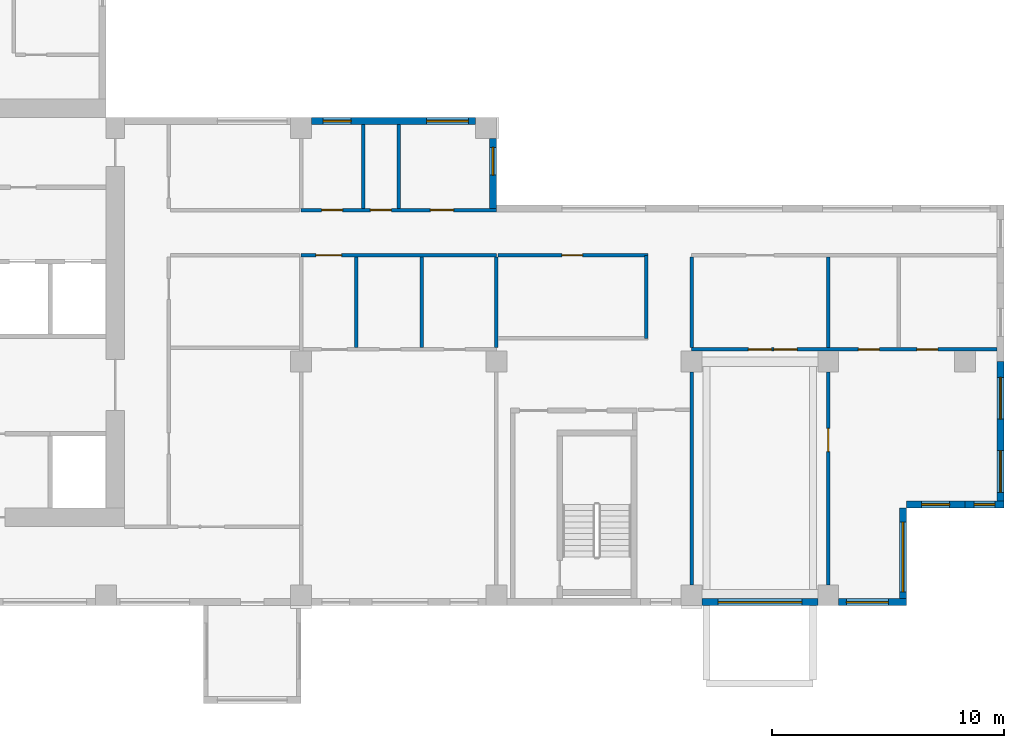
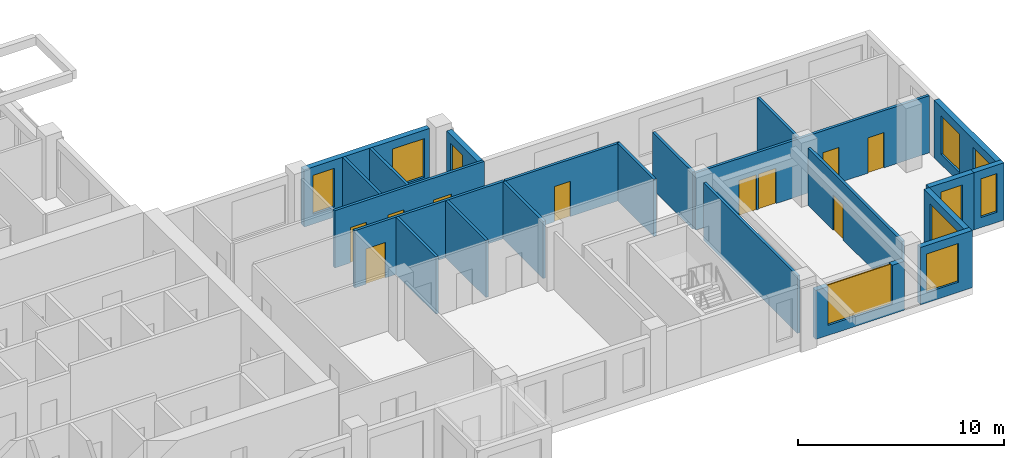
# One storey, part 7 of 14: 22 walls, 10 doors, 10 windows, 20 openings.
"""IFC4 building model written with IfcOpenShell, lengths in metres."""

from ifc_helpers import new_model, si_unit, direction, frame, frame_2d, origin, place, context, subcontext, project, spatial, rectangle, extrude, source, transform, mapped, material, layer, layer_set, type_object, element, fill, save


model = new_model("IFC4")

# Units and contexts
model_context = context("Model", 3, precision=1e-05, world=origin(), true_north=direction((0.0, 1.0)))
body_context = subcontext(model_context, "Body", "Model", "MODEL_VIEW")
ifc_project = project(units=[si_unit("LENGTHUNIT", "METRE"), si_unit("AREAUNIT", "SQUARE_METRE"), si_unit("VOLUMEUNIT", "CUBIC_METRE"), si_unit("PLANEANGLEUNIT", "RADIAN"), si_unit("MASSUNIT", "GRAM", prefix="KILO")], contexts=[model_context])

# Site, building, storey
site_placement = place(None, origin())
site = spatial("IfcSite", under=ifc_project, at=site_placement, CompositionType="ELEMENT")
building_placement = place(site_placement, origin())
building = spatial("IfcBuilding", under=site, at=building_placement, Name="Aurelian Terraces", CompositionType="ELEMENT")
storey_placement = place(building_placement, frame((0.0, 0.0, 185.4)))
storey = spatial("IfcBuildingStorey", under=building, at=storey_placement, Name="L40", CompositionType="ELEMENT", Elevation=185.4)

# Wall, opening, window
ifc_material_1 = material(Name="Terracotta rainscreen cladding", Category="masonry")
ifc_layer_1 = layer(ifc_material_1, 0.3)
ifc_layer_set_1 = layer_set([ifc_layer_1], Name="EW-300")
wall_type_1 = type_object("IfcWallType", Name="EW-300", PredefinedType="STANDARD", material=ifc_layer_set_1)
wall_1_placement = place(storey_placement, frame((46.65, 0.15, 0.0), z_axis=(0.0, 0.0, 1.0), x_axis=(1.0, 0.0, 0.0)))
wall_1 = element("IfcWall", 1, at=wall_1_placement, inside=storey, type_object=wall_type_1, Name="External wall L40 F01.7", PredefinedType="STANDARD", context=body_context, shape_type="SweptSolid", body=[
    extrude(rectangle(XDim=4.98, YDim=0.3, at=frame_2d((2.49, 0.0))), origin(), (0.0, 0.0, 1.0), 2.9),
])
shared_shape_1 = source(origin(), body_context, "Body", "SweptSolid", [
    extrude(rectangle(XDim=3.6, YDim=2.3, at=frame_2d((1.8, 1.15))), frame((0.0, 0.16, 0.0), z_axis=(0.0, -1.0, 0.0), x_axis=(1.0, 0.0, 0.0)), (0.0, 0.0, 1.0), 0.32),
])
opening_1_placement = place(wall_1_placement, frame((0.69, 0.0, 0.6)))
opening_1 = element("IfcOpeningElement", 2, at=opening_1_placement, cuts=wall_1, Name="Opening W3623", PredefinedType="OPENING", context=body_context, shape_type="MappedRepresentation", body=[
    mapped(shared_shape_1, transform((0.0, 0.0, 0.0), scale=1.0)),
])
ifc_material_2 = material(Name="Clear glazing", Category="glass")
window_type_1 = type_object("IfcWindowType", Name="W-3600x2300", PartitioningType="SINGLE_PANEL", PredefinedType="WINDOW", material=ifc_material_2)
shared_shape_2 = source(origin(), body_context, "Body", "SweptSolid", [
    extrude(rectangle(XDim=3.6, YDim=2.3, at=frame_2d((1.8, 1.15))), frame((0.0, 0.03, 0.0), z_axis=(0.0, -1.0, 0.0), x_axis=(1.0, 0.0, 0.0)), (0.0, 0.0, 1.0), 0.06),
])
window_1_placement = place(opening_1_placement, origin())
window_1 = element("IfcWindow", 3, at=window_1_placement, inside=storey, type_object=window_type_1, Name="Window L40 L40-F01-07-0", OverallHeight=2.3, OverallWidth=3.6, PartitioningType="SINGLE_PANEL", PredefinedType="WINDOW", context=body_context, shape_type="MappedRepresentation", body=[
    mapped(shared_shape_2, transform((0.0, 0.0, 0.0), scale=1.0)),
])
fill(opening_1, window_1)

shared_shape_3 = source(origin(), body_context, "Body", "SweptSolid", [
    extrude(rectangle(XDim=2.91, YDim=0.3, at=frame_2d((1.455, 0.0))), origin(), (0.0, 0.0, 1.0), 3.4),
])
wall_2_placement = place(storey_placement, frame((52.53, 0.15, 0.0), z_axis=(0.0, 0.0, 1.0), x_axis=(1.0, 0.0, 0.0)))
wall_2 = element("IfcWall", 4, at=wall_2_placement, inside=storey, type_object=wall_type_1, Name="External wall L40 F01.8", PredefinedType="STANDARD", context=body_context, shape_type="MappedRepresentation", body=[
    mapped(shared_shape_3, transform((0.0, 0.0, 0.0), scale=1.0)),
])
shared_shape_4 = source(origin(), body_context, "Body", "SweptSolid", [
    extrude(rectangle(XDim=1.8, YDim=2.3, at=frame_2d((0.9, 1.15))), frame((0.0, 0.16, 0.0), z_axis=(0.0, -1.0, 0.0), x_axis=(1.0, 0.0, 0.0)), (0.0, 0.0, 1.0), 0.32),
])
opening_2_placement = place(wall_2_placement, frame((0.33, 0.0, 0.6)))
opening_2 = element("IfcOpeningElement", 5, at=opening_2_placement, cuts=wall_2, Name="Opening W1823", PredefinedType="OPENING", context=body_context, shape_type="MappedRepresentation", body=[
    mapped(shared_shape_4, transform((0.0, 0.0, 0.0), scale=1.0)),
])
window_type_2 = type_object("IfcWindowType", Name="W-1800x2300", PartitioningType="SINGLE_PANEL", PredefinedType="WINDOW", material=ifc_material_2)
shared_shape_5 = source(origin(), body_context, "Body", "SweptSolid", [
    extrude(rectangle(XDim=1.8, YDim=2.3, at=frame_2d((0.9, 1.15))), frame((0.0, 0.03, 0.0), z_axis=(0.0, -1.0, 0.0), x_axis=(1.0, 0.0, 0.0)), (0.0, 0.0, 1.0), 0.06),
])
window_2_placement = place(opening_2_placement, origin())
window_2 = element("IfcWindow", 6, at=window_2_placement, inside=storey, type_object=window_type_2, Name="Window L40 L40-F01-08-0", OverallHeight=2.3, OverallWidth=1.8, PartitioningType="SINGLE_PANEL", PredefinedType="WINDOW", context=body_context, shape_type="MappedRepresentation", body=[
    mapped(shared_shape_5, transform((0.0, 0.0, 0.0), scale=1.0)),
])
fill(opening_2, window_2)

shared_shape_6 = source(origin(), body_context, "Body", "SweptSolid", [
    extrude(rectangle(XDim=4.2, YDim=0.3, at=frame_2d((2.1, 0.0))), origin(), (0.0, 0.0, 1.0), 3.4),
])
wall_3_placement = place(storey_placement, frame((55.29, 0.0, 0.0), z_axis=(0.0, 0.0, 1.0), x_axis=(0.0, 1.0, 0.0)))
wall_3 = element("IfcWall", 7, at=wall_3_placement, inside=storey, type_object=wall_type_1, Name="External wall L40 F02.9", PredefinedType="STANDARD", context=body_context, shape_type="MappedRepresentation", body=[
    mapped(shared_shape_6, transform((0.0, 0.0, 0.0), scale=1.0)),
])
shared_shape_7 = source(origin(), body_context, "Body", "SweptSolid", [
    extrude(rectangle(XDim=3.0, YDim=2.3, at=frame_2d((1.5, 1.15))), frame((0.0, 0.16, 0.0), z_axis=(0.0, -1.0, 0.0), x_axis=(1.0, 0.0, 0.0)), (0.0, 0.0, 1.0), 0.32),
])
opening_3_placement = place(wall_3_placement, frame((0.6, 0.0, 0.6)))
opening_3 = element("IfcOpeningElement", 8, at=opening_3_placement, cuts=wall_3, Name="Opening W3023", PredefinedType="OPENING", context=body_context, shape_type="MappedRepresentation", body=[
    mapped(shared_shape_7, transform((0.0, 0.0, 0.0), scale=1.0)),
])
window_type_3 = type_object("IfcWindowType", Name="W-3000x2300", PartitioningType="SINGLE_PANEL", PredefinedType="WINDOW", material=ifc_material_2)
shared_shape_8 = source(origin(), body_context, "Body", "SweptSolid", [
    extrude(rectangle(XDim=3.0, YDim=2.3, at=frame_2d((1.5, 1.15))), frame((0.0, 0.03, 0.0), z_axis=(0.0, -1.0, 0.0), x_axis=(1.0, 0.0, 0.0)), (0.0, 0.0, 1.0), 0.06),
])
window_3_placement = place(opening_3_placement, origin())
window_3 = element("IfcWindow", 9, at=window_3_placement, inside=storey, type_object=window_type_3, Name="Window L40 L40-F02-09-0", OverallHeight=2.3, OverallWidth=3.0, PartitioningType="SINGLE_PANEL", PredefinedType="WINDOW", context=body_context, shape_type="MappedRepresentation", body=[
    mapped(shared_shape_8, transform((0.0, 0.0, 0.0), scale=1.0)),
])
fill(opening_3, window_3)

shared_shape_9 = source(origin(), body_context, "Body", "SweptSolid", [
    extrude(rectangle(XDim=2.52, YDim=0.3, at=frame_2d((1.26, 0.0))), origin(), (0.0, 0.0, 1.0), 3.4),
])
wall_4_placement = place(storey_placement, frame((55.44, 4.35, 0.0), z_axis=(0.0, 0.0, 1.0), x_axis=(1.0, 0.0, 0.0)))
wall_4 = element("IfcWall", 10, at=wall_4_placement, inside=storey, type_object=wall_type_1, Name="External wall L40 F03.10", PredefinedType="STANDARD", context=body_context, shape_type="MappedRepresentation", body=[
    mapped(shared_shape_9, transform((0.0, 0.0, 0.0), scale=1.0)),
])
shared_shape_10 = source(origin(), body_context, "Body", "SweptSolid", [
    extrude(rectangle(XDim=1.2, YDim=2.3, at=frame_2d((0.6, 1.15))), frame((0.0, 0.16, 0.0), z_axis=(0.0, -1.0, 0.0), x_axis=(1.0, 0.0, 0.0)), (0.0, 0.0, 1.0), 0.32),
])
opening_4_placement = place(wall_4_placement, frame((0.66, 0.0, 0.6)))
opening_4 = element("IfcOpeningElement", 11, at=opening_4_placement, cuts=wall_4, Name="Opening W1223", PredefinedType="OPENING", context=body_context, shape_type="MappedRepresentation", body=[
    mapped(shared_shape_10, transform((0.0, 0.0, 0.0), scale=1.0)),
])
window_type_4 = type_object("IfcWindowType", Name="W-1200x2300", PartitioningType="SINGLE_PANEL", PredefinedType="WINDOW", material=ifc_material_2)
shared_shape_11 = source(origin(), body_context, "Body", "SweptSolid", [
    extrude(rectangle(XDim=1.2, YDim=2.3, at=frame_2d((0.6, 1.15))), frame((0.0, 0.03, 0.0), z_axis=(0.0, -1.0, 0.0), x_axis=(1.0, 0.0, 0.0)), (0.0, 0.0, 1.0), 0.06),
])
window_4_placement = place(opening_4_placement, origin())
window_4 = element("IfcWindow", 12, at=window_4_placement, inside=storey, type_object=window_type_4, Name="Window L40 L40-F03-10-0", OverallHeight=2.3, OverallWidth=1.2, PartitioningType="SINGLE_PANEL", PredefinedType="WINDOW", context=body_context, shape_type="MappedRepresentation", body=[
    mapped(shared_shape_11, transform((0.0, 0.0, 0.0), scale=1.0)),
])
fill(opening_4, window_4)

shared_shape_12 = source(origin(), body_context, "Body", "SweptSolid", [
    extrude(rectangle(XDim=1.68, YDim=0.3, at=frame_2d((0.84, 0.0))), origin(), (0.0, 0.0, 1.0), 3.4),
])
wall_5_placement = place(storey_placement, frame((57.96, 4.35, 0.0), z_axis=(0.0, 0.0, 1.0), x_axis=(1.0, 0.0, 0.0)))
wall_5 = element("IfcWall", 13, at=wall_5_placement, inside=storey, type_object=wall_type_1, Name="External wall L40 F03.11", PredefinedType="STANDARD", context=body_context, shape_type="MappedRepresentation", body=[
    mapped(shared_shape_12, transform((0.0, 0.0, 0.0), scale=1.0)),
])
shared_shape_13 = source(origin(), body_context, "Body", "SweptSolid", [
    extrude(rectangle(XDim=0.9, YDim=2.3, at=frame_2d((0.45, 1.15))), frame((0.0, 0.16, 0.0), z_axis=(0.0, -1.0, 0.0), x_axis=(1.0, 0.0, 0.0)), (0.0, 0.0, 1.0), 0.32),
])
opening_5_placement = place(wall_5_placement, frame((0.39, 0.0, 0.6)))
opening_5 = element("IfcOpeningElement", 14, at=opening_5_placement, cuts=wall_5, Name="Opening W0923", PredefinedType="OPENING", context=body_context, shape_type="MappedRepresentation", body=[
    mapped(shared_shape_13, transform((0.0, 0.0, 0.0), scale=1.0)),
])
window_type_5 = type_object("IfcWindowType", Name="W-900x2300", PartitioningType="SINGLE_PANEL", PredefinedType="WINDOW", material=ifc_material_2)
shared_shape_14 = source(origin(), body_context, "Body", "SweptSolid", [
    extrude(rectangle(XDim=0.9, YDim=2.3, at=frame_2d((0.45, 1.15))), frame((0.0, 0.03, 0.0), z_axis=(0.0, -1.0, 0.0), x_axis=(1.0, 0.0, 0.0)), (0.0, 0.0, 1.0), 0.06),
])
window_5_placement = place(opening_5_placement, origin())
window_5 = element("IfcWindow", 15, at=window_5_placement, inside=storey, type_object=window_type_5, Name="Window L40 L40-F03-11-P0", OverallHeight=2.3, OverallWidth=0.9, PartitioningType="SINGLE_PANEL", PredefinedType="WINDOW", context=body_context, shape_type="MappedRepresentation", body=[
    mapped(shared_shape_14, transform((0.0, 0.0, 0.0), scale=1.0)),
])
fill(opening_5, window_5)

# Wall, openings, windows
shared_shape_15 = source(origin(), body_context, "Body", "SweptSolid", [
    extrude(rectangle(XDim=6.3, YDim=0.3, at=frame_2d((3.15, 0.0))), origin(), (0.0, 0.0, 1.0), 3.4),
])
wall_6_placement = place(storey_placement, frame((59.49, 4.2, 0.0), z_axis=(0.0, 0.0, 1.0), x_axis=(0.0, 1.0, 0.0)))
wall_6 = element("IfcWall", 16, at=wall_6_placement, inside=storey, type_object=wall_type_1, Name="External wall L40 F04.12", PredefinedType="STANDARD", context=body_context, shape_type="MappedRepresentation", body=[
    mapped(shared_shape_15, transform((0.0, 0.0, 0.0), scale=1.0)),
])
opening_6_placement = place(wall_6_placement, frame((0.675, 0.0, 0.6)))
opening_6 = element("IfcOpeningElement", 17, at=opening_6_placement, cuts=wall_6, Name="Opening W1823", PredefinedType="OPENING", context=body_context, shape_type="MappedRepresentation", body=[
    mapped(shared_shape_4, transform((0.0, 0.0, 0.0), scale=1.0)),
])
opening_7_placement = place(wall_6_placement, frame((3.825, 0.0, 0.6)))
opening_7 = element("IfcOpeningElement", 18, at=opening_7_placement, cuts=wall_6, Name="Opening W1823", PredefinedType="OPENING", context=body_context, shape_type="MappedRepresentation", body=[
    mapped(shared_shape_4, transform((0.0, 0.0, 0.0), scale=1.0)),
])
window_6_placement = place(opening_6_placement, origin())
window_6 = element("IfcWindow", 19, at=window_6_placement, inside=storey, type_object=window_type_2, Name="Window L40 L40-F04-12-0", OverallHeight=2.3, OverallWidth=1.8, PartitioningType="SINGLE_PANEL", PredefinedType="WINDOW", context=body_context, shape_type="MappedRepresentation", body=[
    mapped(shared_shape_5, transform((0.0, 0.0, 0.0), scale=1.0)),
])
fill(opening_6, window_6)
window_7_placement = place(opening_7_placement, origin())
window_7 = element("IfcWindow", 20, at=window_7_placement, inside=storey, type_object=window_type_2, Name="Window L40 L40-F04-12-1", OverallHeight=2.3, OverallWidth=1.8, PartitioningType="SINGLE_PANEL", PredefinedType="WINDOW", context=body_context, shape_type="MappedRepresentation", body=[
    mapped(shared_shape_5, transform((0.0, 0.0, 0.0), scale=1.0)),
])
fill(opening_7, window_7)

# Wall, opening, window
shared_shape_16 = source(origin(), body_context, "Body", "SweptSolid", [
    extrude(rectangle(XDim=3.0, YDim=0.3, at=frame_2d((1.5, 0.0))), origin(), (0.0, 0.0, 1.0), 3.4),
])
wall_7_placement = place(storey_placement, frame((37.65, 17.1, 0.0), z_axis=(0.0, 0.0, 1.0), x_axis=(0.0, 1.0, 0.0)))
wall_7 = element("IfcWall", 21, at=wall_7_placement, inside=storey, type_object=wall_type_1, Name="External wall L40 F06.16", PredefinedType="STANDARD", context=body_context, shape_type="MappedRepresentation", body=[
    mapped(shared_shape_16, transform((0.0, 0.0, 0.0), scale=1.0)),
])
opening_8_placement = place(wall_7_placement, frame((1.425, 0.0, 0.6)))
opening_8 = element("IfcOpeningElement", 22, at=opening_8_placement, cuts=wall_7, Name="Opening W1223", PredefinedType="OPENING", context=body_context, shape_type="MappedRepresentation", body=[
    mapped(shared_shape_10, transform((0.0, 0.0, 0.0), scale=1.0)),
])
window_8_placement = place(opening_8_placement, origin())
window_8 = element("IfcWindow", 23, at=window_8_placement, inside=storey, type_object=window_type_4, Name="Window L40 L40-F06-16-0", OverallHeight=2.3, OverallWidth=1.2, PartitioningType="SINGLE_PANEL", PredefinedType="WINDOW", context=body_context, shape_type="MappedRepresentation", body=[
    mapped(shared_shape_11, transform((0.0, 0.0, 0.0), scale=1.0)),
])
fill(opening_8, window_8)

# Wall, openings, windows
shared_shape_17 = source(origin(), body_context, "Body", "SweptSolid", [
    extrude(rectangle(XDim=7.05, YDim=0.3, at=frame_2d((3.525, 0.0))), origin(), (0.0, 0.0, 1.0), 3.4),
])
wall_8_placement = place(storey_placement, frame((36.9, 20.85, 0.0), z_axis=(0.0, 0.0, 1.0), x_axis=(-1.0, 0.0, 0.0)))
wall_8 = element("IfcWall", 24, at=wall_8_placement, inside=storey, type_object=wall_type_1, Name="External wall L40 F07.17", PredefinedType="STANDARD", context=body_context, shape_type="MappedRepresentation", body=[
    mapped(shared_shape_17, transform((0.0, 0.0, 0.0), scale=1.0)),
])
opening_9_placement = place(wall_8_placement, frame((0.3, 0.0, 0.6)))
opening_9 = element("IfcOpeningElement", 25, at=opening_9_placement, cuts=wall_8, Name="Opening W1823", PredefinedType="OPENING", context=body_context, shape_type="MappedRepresentation", body=[
    mapped(shared_shape_4, transform((0.0, 0.0, 0.0), scale=1.0)),
])
opening_10_placement = place(wall_8_placement, frame((5.354, 0.0, 0.6)))
opening_10 = element("IfcOpeningElement", 26, at=opening_10_placement, cuts=wall_8, Name="Opening W1223", PredefinedType="OPENING", context=body_context, shape_type="MappedRepresentation", body=[
    mapped(shared_shape_10, transform((0.0, 0.0, 0.0), scale=1.0)),
])
window_9_placement = place(opening_10_placement, origin())
window_9 = element("IfcWindow", 27, at=window_9_placement, inside=storey, type_object=window_type_4, Name="Window L40 L40-F07-17-1", OverallHeight=2.3, OverallWidth=1.2, PartitioningType="SINGLE_PANEL", PredefinedType="WINDOW", context=body_context, shape_type="MappedRepresentation", body=[
    mapped(shared_shape_11, transform((0.0, 0.0, 0.0), scale=1.0)),
])
fill(opening_10, window_9)
window_10_placement = place(opening_9_placement, origin())
window_10 = element("IfcWindow", 28, at=window_10_placement, inside=storey, type_object=window_type_2, Name="Window L40 L40-F07-17-0", OverallHeight=2.3, OverallWidth=1.8, PartitioningType="SINGLE_PANEL", PredefinedType="WINDOW", context=body_context, shape_type="MappedRepresentation", body=[
    mapped(shared_shape_5, transform((0.0, 0.0, 0.0), scale=1.0)),
])
fill(opening_9, window_10)

# Wall, opening, door
ifc_material_3 = material(Name="Gypsum board on steel studs", Category="steel")
ifc_layer_2 = layer(ifc_material_3, 0.15)
ifc_layer_set_2 = layer_set([ifc_layer_2], Name="Fire partition 150")
wall_type_2 = type_object("IfcWallType", Name="Fire partition 150", PredefinedType="PARTITIONING", material=ifc_layer_set_2)
shared_shape_18 = source(origin(), body_context, "Body", "SweptSolid", [
    extrude(rectangle(XDim=6.45, YDim=0.15, at=frame_2d((3.225, 0.0))), origin(), (0.0, 0.0, 1.0), 3.4),
])
wall_9_placement = place(storey_placement, frame((44.325, 15.075, 0.0), z_axis=(0.0, 0.0, 1.0), x_axis=(-1.0, 0.0, 0.0)))
wall_9 = element("IfcWall", 29, at=wall_9_placement, inside=storey, type_object=wall_type_2, Name="Corridor wall", PredefinedType="PARTITIONING", context=body_context, shape_type="MappedRepresentation", body=[
    mapped(shared_shape_18, transform((0.0, 0.0, 0.0), scale=1.0)),
])
shared_shape_19 = source(origin(), body_context, "Body", "SweptSolid", [
    extrude(rectangle(XDim=0.9, YDim=2.1, at=frame_2d((0.45, 1.05))), frame((0.0, 0.085, 0.0), z_axis=(0.0, -1.0, 0.0), x_axis=(1.0, 0.0, 0.0)), (0.0, 0.0, 1.0), 0.17),
])
opening_11_placement = place(wall_9_placement, frame((2.8125, 0.0, 0.0)))
opening_11 = element("IfcOpeningElement", 30, at=opening_11_placement, cuts=wall_9, Name="Opening 740005", PredefinedType="OPENING", context=body_context, shape_type="MappedRepresentation", body=[
    mapped(shared_shape_19, transform((0.0, 0.0, 0.0), scale=1.0)),
])
ifc_material_4 = material(Name="Timber door leaf", Category="wood")
door_type_1 = type_object("IfcDoorType", Name="Room door 900x2100 left", OperationType="SINGLE_SWING_LEFT", PredefinedType="DOOR", material=ifc_material_4)
shared_shape_20 = source(origin(), body_context, "Body", "SweptSolid", [
    extrude(rectangle(XDim=0.9, YDim=2.1, at=frame_2d((0.45, 1.05))), frame((0.0, 0.025, 0.0), z_axis=(0.0, -1.0, 0.0), x_axis=(1.0, 0.0, 0.0)), (0.0, 0.0, 1.0), 0.05),
])
door_1_placement = place(opening_11_placement, origin())
door_1 = element("IfcDoor", 31, at=door_1_placement, inside=storey, type_object=door_type_1, Name="Door 740005", OperationType="SINGLE_SWING_LEFT", OverallHeight=2.1, OverallWidth=0.9, PredefinedType="DOOR", context=body_context, shape_type="MappedRepresentation", body=[
    mapped(shared_shape_20, transform((0.0, 0.0, 0.0), scale=1.0)),
])
fill(opening_11, door_1)

# Walls
ifc_layer_3 = layer(ifc_material_3, 0.15)
ifc_layer_set_3 = layer_set([ifc_layer_3], Name="Partition 150")
wall_type_3 = type_object("IfcWallType", Name="Partition 150", PredefinedType="PARTITIONING", material=ifc_layer_set_3)
shared_shape_21 = source(origin(), body_context, "Body", "SweptSolid", [
    extrude(rectangle(XDim=3.9, YDim=0.15, at=frame_2d((1.95, 0.0))), origin(), (0.0, 0.0, 1.0), 3.4),
])
for number, where, z_axis, x_axis, name in (
    (32, (31.7771, 11.1, 0.0), (0.0, 0.0, 1.0), (0.0, 1.0, 0.0), "Partition"),
    (33, (34.5827, 11.1, 0.0), (0.0, 0.0, 1.0), (0.0, 1.0, 0.0), "Partition"),
):
    element("IfcWall", number, at=place(storey_placement, frame(where, z_axis=z_axis, x_axis=x_axis)), inside=storey, type_object=wall_type_3, Name=name, PredefinedType="PARTITIONING", context=body_context, shape_type="MappedRepresentation", body=[
        mapped(shared_shape_21, transform((0.0, 0.0, 0.0), scale=1.0)),
    ])
wall_10_placement = place(storey_placement, frame((37.8, 11.1, 0.0), z_axis=(0.0, 0.0, 1.0), x_axis=(0.0, 1.0, 0.0)))
element("IfcWall", 34, at=wall_10_placement, inside=storey, type_object=wall_type_2, Name="Party wall", PredefinedType="PARTITIONING", context=body_context, shape_type="MappedRepresentation", body=[
    mapped(shared_shape_21, transform((0.0, 0.0, 0.0), scale=1.0)),
])
wall_11_placement = place(storey_placement, frame((52.08, 11.1, 0.0), z_axis=(0.0, 0.0, 1.0), x_axis=(0.0, 1.0, 0.0)))
element("IfcWall", 35, at=wall_11_placement, inside=storey, type_object=wall_type_3, Name="Partition", PredefinedType="PARTITIONING", context=body_context, shape_type="MappedRepresentation", body=[
    mapped(shared_shape_21, transform((0.0, 0.0, 0.0), scale=1.0)),
])
wall_12_placement = place(storey_placement, frame((46.2, 11.1, 0.0), z_axis=(0.0, 0.0, 1.0), x_axis=(0.0, 1.0, 0.0)))
element("IfcWall", 36, at=wall_12_placement, inside=storey, type_object=wall_type_2, Name="Party wall", PredefinedType="PARTITIONING", context=body_context, shape_type="MappedRepresentation", body=[
    mapped(shared_shape_21, transform((0.0, 0.0, 0.0), scale=1.0)),
])

# Wall, opening, door
shared_shape_22 = source(origin(), body_context, "Body", "SweptSolid", [
    extrude(rectangle(XDim=9.152, YDim=0.15, at=frame_2d((4.576, 0.0))), origin(), (0.0, 0.0, 1.0), 3.4),
])
wall_13_placement = place(storey_placement, frame((52.08, 0.899, 0.0), z_axis=(0.0, 0.0, 1.0), x_axis=(0.0, 1.0, 0.0)))
wall_13 = element("IfcWall", 37, at=wall_13_placement, inside=storey, type_object=wall_type_3, Name="Partition", PredefinedType="PARTITIONING", context=body_context, shape_type="MappedRepresentation", body=[
    mapped(shared_shape_22, transform((0.0, 0.0, 0.0), scale=1.0)),
])
shared_shape_23 = source(origin(), body_context, "Body", "SweptSolid", [
    extrude(rectangle(XDim=1.0, YDim=2.1, at=frame_2d((0.5, 1.05))), frame((0.0, 0.085, 0.0), z_axis=(0.0, -1.0, 0.0), x_axis=(1.0, 0.0, 0.0)), (0.0, 0.0, 1.0), 0.17),
])
opening_12_placement = place(wall_13_placement, frame((5.726, 0.0, 0.0)))
opening_12 = element("IfcOpeningElement", 38, at=opening_12_placement, cuts=wall_13, Name="Opening 740014", PredefinedType="OPENING", context=body_context, shape_type="MappedRepresentation", body=[
    mapped(shared_shape_23, transform((0.0, 0.0, 0.0), scale=1.0)),
])
door_type_2 = type_object("IfcDoorType", Name="Room door 1000x2100 left", OperationType="SINGLE_SWING_LEFT", PredefinedType="DOOR", material=ifc_material_4)
shared_shape_24 = source(origin(), body_context, "Body", "SweptSolid", [
    extrude(rectangle(XDim=1.0, YDim=2.1, at=frame_2d((0.5, 1.05))), frame((0.0, 0.025, 0.0), z_axis=(0.0, -1.0, 0.0), x_axis=(1.0, 0.0, 0.0)), (0.0, 0.0, 1.0), 0.05),
])
door_2_placement = place(opening_12_placement, origin())
door_2 = element("IfcDoor", 39, at=door_2_placement, inside=storey, type_object=door_type_2, Name="Door 740014", OperationType="SINGLE_SWING_LEFT", OverallHeight=2.1, OverallWidth=1.0, PredefinedType="DOOR", context=body_context, shape_type="MappedRepresentation", body=[
    mapped(shared_shape_24, transform((0.0, 0.0, 0.0), scale=1.0)),
])
fill(opening_12, door_2)

# Walls
wall_14_placement = place(storey_placement, frame((46.2, 0.899, 0.0), z_axis=(0.0, 0.0, 1.0), x_axis=(0.0, 1.0, 0.0)))
element("IfcWall", 40, at=wall_14_placement, inside=storey, type_object=wall_type_2, Name="Party wall", PredefinedType="PARTITIONING", context=body_context, shape_type="MappedRepresentation", body=[
    mapped(shared_shape_22, transform((0.0, 0.0, 0.0), scale=1.0)),
])
shared_shape_25 = source(origin(), body_context, "Body", "SweptSolid", [
    extrude(rectangle(XDim=3.6, YDim=0.15, at=frame_2d((1.8, 0.0))), origin(), (0.0, 0.0, 1.0), 3.4),
])
wall_15_placement = place(storey_placement, frame((32.067, 20.7, 0.0), z_axis=(0.0, 0.0, 1.0), x_axis=(0.0, -1.0, 0.0)))
element("IfcWall", 41, at=wall_15_placement, inside=storey, type_object=wall_type_3, Name="Partition", PredefinedType="PARTITIONING", context=body_context, shape_type="MappedRepresentation", body=[
    mapped(shared_shape_25, transform((0.0, 0.0, 0.0), scale=1.0)),
])
wall_16_placement = place(storey_placement, frame((33.6, 17.1, 0.0), z_axis=(0.0, 0.0, 1.0), x_axis=(0.0, 1.0, 0.0)))
element("IfcWall", 42, at=wall_16_placement, inside=storey, type_object=wall_type_2, Name="Party wall", PredefinedType="PARTITIONING", context=body_context, shape_type="MappedRepresentation", body=[
    mapped(shared_shape_25, transform((0.0, 0.0, 0.0), scale=1.0)),
])

# Wall, opening, door
shared_shape_26 = source(origin(), body_context, "Body", "SweptSolid", [
    extrude(rectangle(XDim=8.4, YDim=0.15, at=frame_2d((4.2, 0.0))), origin(), (0.0, 0.0, 1.0), 3.4),
])
wall_17_placement = place(storey_placement, frame((37.8, 15.075, 0.0), z_axis=(0.0, 0.0, 1.0), x_axis=(-1.0, 0.0, 0.0)))
wall_17 = element("IfcWall", 43, at=wall_17_placement, inside=storey, type_object=wall_type_2, Name="Corridor wall", PredefinedType="PARTITIONING", context=body_context, shape_type="MappedRepresentation", body=[
    mapped(shared_shape_26, transform((0.0, 0.0, 0.0), scale=1.0)),
])
shared_shape_27 = source(origin(), body_context, "Body", "SweptSolid", [
    extrude(rectangle(XDim=1.1, YDim=2.1, at=frame_2d((0.55, 1.05))), frame((0.0, 0.085, 0.0), z_axis=(0.0, -1.0, 0.0), x_axis=(1.0, 0.0, 0.0)), (0.0, 0.0, 1.0), 0.17),
])
opening_13_placement = place(wall_17_placement, frame((6.6615, 0.0, 0.0)))
opening_13 = element("IfcOpeningElement", 44, at=opening_13_placement, cuts=wall_17, Name="Opening 740007", PredefinedType="OPENING", context=body_context, shape_type="MappedRepresentation", body=[
    mapped(shared_shape_27, transform((0.0, 0.0, 0.0), scale=1.0)),
])
ifc_material_5 = material(Name="Steel door leaf", Category="steel")
door_type_3 = type_object("IfcDoorType", Name="Entrance fire door 1100x2100 right", OperationType="SINGLE_SWING_RIGHT", PredefinedType="DOOR", material=ifc_material_5)
shared_shape_28 = source(origin(), body_context, "Body", "SweptSolid", [
    extrude(rectangle(XDim=1.1, YDim=2.1, at=frame_2d((0.55, 1.05))), frame((0.0, 0.025, 0.0), z_axis=(0.0, -1.0, 0.0), x_axis=(1.0, 0.0, 0.0)), (0.0, 0.0, 1.0), 0.05),
])
door_3_placement = place(opening_13_placement, origin())
door_3 = element("IfcDoor", 45, at=door_3_placement, inside=storey, type_object=door_type_3, Name="Door 740007", OperationType="SINGLE_SWING_RIGHT", OverallHeight=2.1, OverallWidth=1.1, PredefinedType="DOOR", context=body_context, shape_type="MappedRepresentation", body=[
    mapped(shared_shape_28, transform((0.0, 0.0, 0.0), scale=1.0)),
])
fill(opening_13, door_3)

# Wall, openings, doors
wall_18_placement = place(storey_placement, frame((29.4, 17.025, 0.0), z_axis=(0.0, 0.0, 1.0), x_axis=(1.0, 0.0, 0.0)))
wall_18 = element("IfcWall", 46, at=wall_18_placement, inside=storey, type_object=wall_type_2, Name="Corridor wall", PredefinedType="PARTITIONING", context=body_context, shape_type="MappedRepresentation", body=[
    mapped(shared_shape_26, transform((0.0, 0.0, 0.0), scale=1.0)),
])
opening_14_placement = place(wall_18_placement, frame((0.8835, 0.0, 0.0)))
opening_14 = element("IfcOpeningElement", 47, at=opening_14_placement, cuts=wall_18, Name="Opening 740017", PredefinedType="OPENING", context=body_context, shape_type="MappedRepresentation", body=[
    mapped(shared_shape_19, transform((0.0, 0.0, 0.0), scale=1.0)),
])
opening_15_placement = place(wall_18_placement, frame((2.9835, 0.0, 0.0)))
opening_15 = element("IfcOpeningElement", 48, at=opening_15_placement, cuts=wall_18, Name="Opening 740018", PredefinedType="OPENING", context=body_context, shape_type="MappedRepresentation", body=[
    mapped(shared_shape_19, transform((0.0, 0.0, 0.0), scale=1.0)),
])
opening_16_placement = place(wall_18_placement, frame((5.5567, 0.0, 0.0)))
opening_16 = element("IfcOpeningElement", 49, at=opening_16_placement, cuts=wall_18, Name="Opening 740019", PredefinedType="OPENING", context=body_context, shape_type="MappedRepresentation", body=[
    mapped(shared_shape_23, transform((0.0, 0.0, 0.0), scale=1.0)),
])
door_type_4 = type_object("IfcDoorType", Name="Entrance fire door 1000x2100 right", OperationType="SINGLE_SWING_RIGHT", PredefinedType="DOOR", material=ifc_material_5)
door_4_placement = place(opening_16_placement, origin())
door_4 = element("IfcDoor", 50, at=door_4_placement, inside=storey, type_object=door_type_4, Name="Door 740019", OperationType="SINGLE_SWING_RIGHT", OverallHeight=2.1, OverallWidth=1.0, PredefinedType="DOOR", context=body_context, shape_type="MappedRepresentation", body=[
    mapped(shared_shape_24, transform((0.0, 0.0, 0.0), scale=1.0)),
])
fill(opening_16, door_4)
door_type_5 = type_object("IfcDoorType", Name="Entrance fire door 900x2100 right", OperationType="SINGLE_SWING_RIGHT", PredefinedType="DOOR", material=ifc_material_5)
door_5_placement = place(opening_14_placement, origin())
door_5 = element("IfcDoor", 51, at=door_5_placement, inside=storey, type_object=door_type_5, Name="Door 740017", OperationType="SINGLE_SWING_RIGHT", OverallHeight=2.1, OverallWidth=0.9, PredefinedType="DOOR", context=body_context, shape_type="MappedRepresentation", body=[
    mapped(shared_shape_20, transform((0.0, 0.0, 0.0), scale=1.0)),
])
fill(opening_14, door_5)
door_type_6 = type_object("IfcDoorType", Name="Entrance fire door 900x2100 left", OperationType="SINGLE_SWING_LEFT", PredefinedType="DOOR", material=ifc_material_5)
door_6_placement = place(opening_15_placement, origin())
door_6 = element("IfcDoor", 52, at=door_6_placement, inside=storey, type_object=door_type_6, Name="Door 740018", OperationType="SINGLE_SWING_LEFT", OverallHeight=2.1, OverallWidth=0.9, PredefinedType="DOOR", context=body_context, shape_type="MappedRepresentation", body=[
    mapped(shared_shape_20, transform((0.0, 0.0, 0.0), scale=1.0)),
])
fill(opening_15, door_6)

shared_shape_29 = source(origin(), body_context, "Body", "SweptSolid", [
    extrude(rectangle(XDim=13.14, YDim=0.15, at=frame_2d((6.57, 0.0))), origin(), (0.0, 0.0, 1.0), 3.4),
])
wall_19_placement = place(storey_placement, frame((59.34, 11.025, 0.0), z_axis=(0.0, 0.0, 1.0), x_axis=(-1.0, 0.0, 0.0)))
wall_19 = element("IfcWall", 53, at=wall_19_placement, inside=storey, type_object=wall_type_3, Name="Partition", PredefinedType="PARTITIONING", context=body_context, shape_type="MappedRepresentation", body=[
    mapped(shared_shape_29, transform((0.0, 0.0, 0.0), scale=1.0)),
])
opening_17_placement = place(wall_19_placement, frame((9.7025, 0.0, 0.0)))
opening_17 = element("IfcOpeningElement", 54, at=opening_17_placement, cuts=wall_19, Name="Opening 740012", PredefinedType="OPENING", context=body_context, shape_type="MappedRepresentation", body=[
    mapped(shared_shape_23, transform((0.0, 0.0, 0.0), scale=1.0)),
])
opening_18_placement = place(wall_19_placement, frame((8.602, 0.0, 0.0)))
opening_18 = element("IfcOpeningElement", 55, at=opening_18_placement, cuts=wall_19, Name="Opening 740013", PredefinedType="OPENING", context=body_context, shape_type="MappedRepresentation", body=[
    mapped(shared_shape_23, transform((0.0, 0.0, 0.0), scale=1.0)),
])
opening_19_placement = place(wall_19_placement, frame((5.0611, 0.0, 0.0)))
opening_19 = element("IfcOpeningElement", 56, at=opening_19_placement, cuts=wall_19, Name="Opening 740015", PredefinedType="OPENING", context=body_context, shape_type="MappedRepresentation", body=[
    mapped(shared_shape_19, transform((0.0, 0.0, 0.0), scale=1.0)),
])
opening_20_placement = place(wall_19_placement, frame((2.5461, 0.0, 0.0)))
opening_20 = element("IfcOpeningElement", 57, at=opening_20_placement, cuts=wall_19, Name="Opening 740016", PredefinedType="OPENING", context=body_context, shape_type="MappedRepresentation", body=[
    mapped(shared_shape_19, transform((0.0, 0.0, 0.0), scale=1.0)),
])
door_7_placement = place(opening_17_placement, origin())
door_7 = element("IfcDoor", 58, at=door_7_placement, inside=storey, type_object=door_type_2, Name="Door 740012", OperationType="SINGLE_SWING_LEFT", OverallHeight=2.1, OverallWidth=1.0, PredefinedType="DOOR", context=body_context, shape_type="MappedRepresentation", body=[
    mapped(shared_shape_24, transform((0.0, 0.0, 0.0), scale=1.0)),
])
fill(opening_17, door_7)
door_type_7 = type_object("IfcDoorType", Name="Room door 1000x2100 right", OperationType="SINGLE_SWING_RIGHT", PredefinedType="DOOR", material=ifc_material_4)
door_8_placement = place(opening_18_placement, origin())
door_8 = element("IfcDoor", 59, at=door_8_placement, inside=storey, type_object=door_type_7, Name="Door 740013", OperationType="SINGLE_SWING_RIGHT", OverallHeight=2.1, OverallWidth=1.0, PredefinedType="DOOR", context=body_context, shape_type="MappedRepresentation", body=[
    mapped(shared_shape_24, transform((0.0, 0.0, 0.0), scale=1.0)),
])
fill(opening_18, door_8)
door_type_8 = type_object("IfcDoorType", Name="Room door 900x2100 right", OperationType="SINGLE_SWING_RIGHT", PredefinedType="DOOR", material=ifc_material_4)
door_9_placement = place(opening_19_placement, origin())
door_9 = element("IfcDoor", 60, at=door_9_placement, inside=storey, type_object=door_type_8, Name="Door 740015", OperationType="SINGLE_SWING_RIGHT", OverallHeight=2.1, OverallWidth=0.9, PredefinedType="DOOR", context=body_context, shape_type="MappedRepresentation", body=[
    mapped(shared_shape_20, transform((0.0, 0.0, 0.0), scale=1.0)),
])
fill(opening_19, door_9)
door_10_placement = place(opening_20_placement, origin())
door_10 = element("IfcDoor", 61, at=door_10_placement, inside=storey, type_object=door_type_1, Name="Door 740016", OperationType="SINGLE_SWING_LEFT", OverallHeight=2.1, OverallWidth=0.9, PredefinedType="DOOR", context=body_context, shape_type="MappedRepresentation", body=[
    mapped(shared_shape_20, transform((0.0, 0.0, 0.0), scale=1.0)),
])
fill(opening_20, door_10)

# Wall
shared_shape_30 = source(origin(), body_context, "Body", "SweptSolid", [
    extrude(rectangle(XDim=3.575, YDim=0.15, at=frame_2d((1.7875, 0.0))), origin(), (0.0, 0.0, 1.0), 3.4),
])
wall_20_placement = place(storey_placement, frame((44.25, 11.5, 0.0), z_axis=(0.0, 0.0, 1.0), x_axis=(0.0, 1.0, 0.0)))
element("IfcWall", 62, at=wall_20_placement, inside=storey, type_object=wall_type_3, Name="Partition", PredefinedType="PARTITIONING", context=body_context, shape_type="MappedRepresentation", body=[
    mapped(shared_shape_30, transform((0.0, 0.0, 0.0), scale=1.0)),
])

save(model, "model.ifc")
